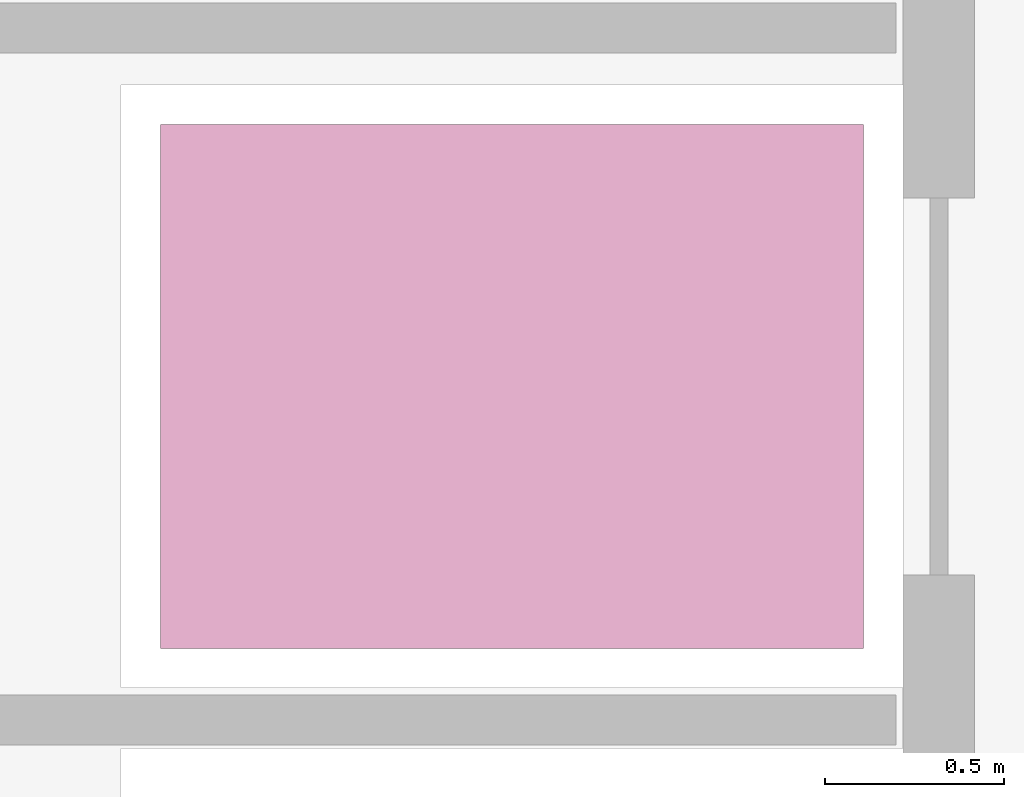
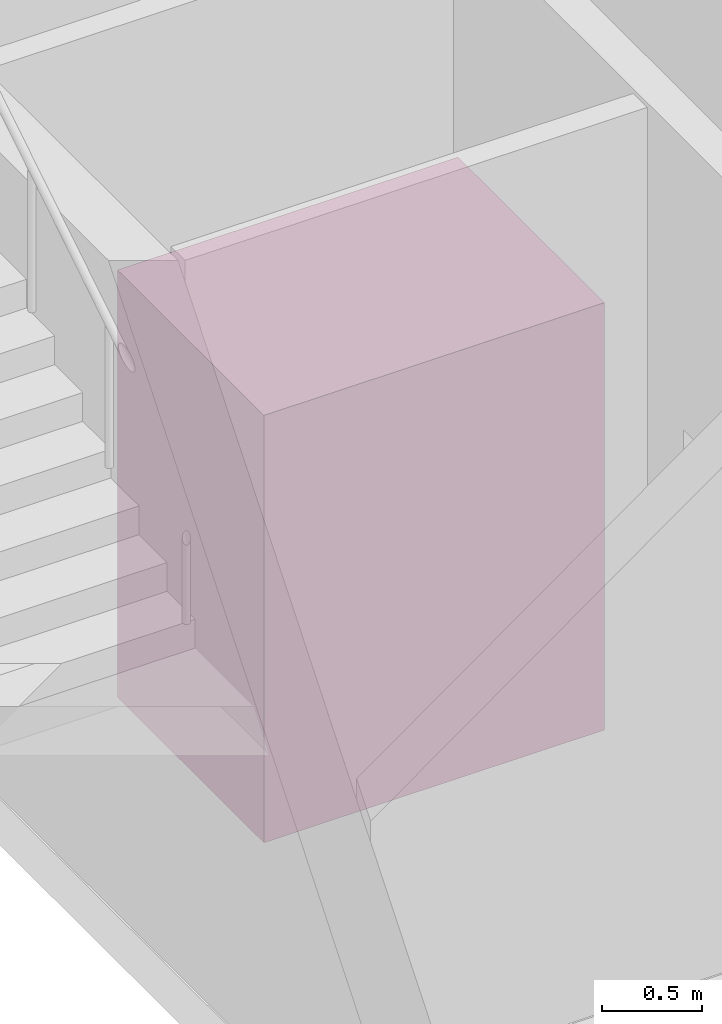
# One storey, part 16 of 16: 1 transport element.
"""IFC4 building model written with IfcOpenShell, lengths in metres."""

from ifc_helpers import new_model, si_unit, direction, frame, origin, origin_2d, place, context, subcontext, project, spatial, rectangle, extrude, material, type_object, element, save


model = new_model("IFC4")

# Units and contexts
model_context = context("Model", 3, precision=1e-05, world=origin(), true_north=direction((0.0, 1.0)))
body_context = subcontext(model_context, "Body", "Model", "MODEL_VIEW")
ifc_project = project(units=[si_unit("LENGTHUNIT", "METRE"), si_unit("AREAUNIT", "SQUARE_METRE"), si_unit("VOLUMEUNIT", "CUBIC_METRE"), si_unit("PLANEANGLEUNIT", "RADIAN"), si_unit("MASSUNIT", "GRAM", prefix="KILO")], contexts=[model_context])

# Site, building, storey
site_placement = place(None, origin())
site = spatial("IfcSite", under=ifc_project, at=site_placement, CompositionType="ELEMENT")
building_placement = place(site_placement, origin())
building = spatial("IfcBuilding", under=site, at=building_placement, Name="Oramaril Tower", CompositionType="ELEMENT")
storey_placement = place(building_placement, frame((0.0, 0.0, 9.89990234375)))
storey = spatial("IfcBuildingStorey", under=building, at=storey_placement, Name="L02", CompositionType="ELEMENT", Elevation=9.89990234375)

# Transport element
ifc_material = material(Name="Stainless Steel 316L", Category="steel")
transport_element_type = type_object("IfcTransportElementType", Name="LFT-PAX", PredefinedType="ELEVATOR", material=ifc_material)
transport_element_placement = place(storey_placement, frame((35.14990234375, 16.199951171875, 0.0), z_axis=(0.0, 0.0, 1.0), x_axis=(1.0, 0.0, 0.0)))
element("IfcTransportElement", 1, at=transport_element_placement, inside=storey, type_object=transport_element_type, Name="Elevator Car LP-L3", PredefinedType="ELEVATOR", context=body_context, shape_type="SweptSolid", body=[
    extrude(rectangle(XDim=1.9599609375, YDim=1.4599609375, at=origin_2d()), origin(), (0.0, 0.0, 1.0), 2.60009765625),
])

save(model, "model.ifc")
